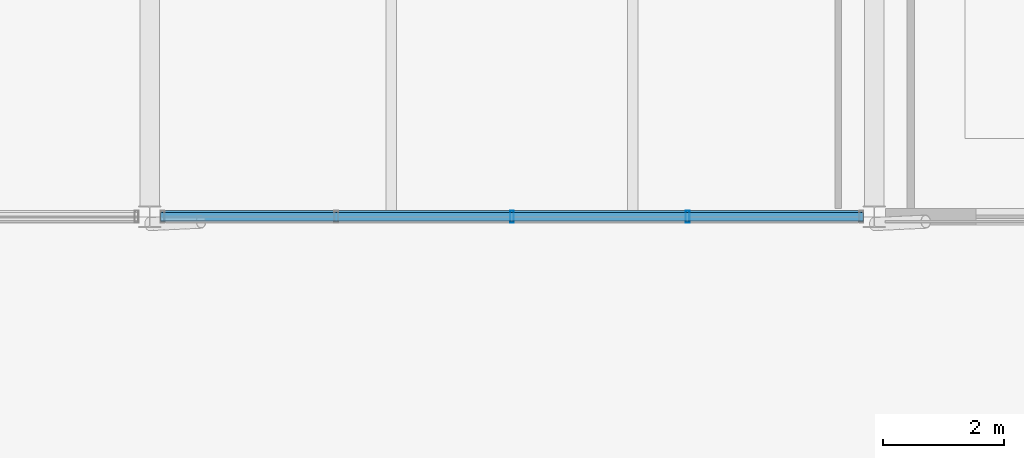
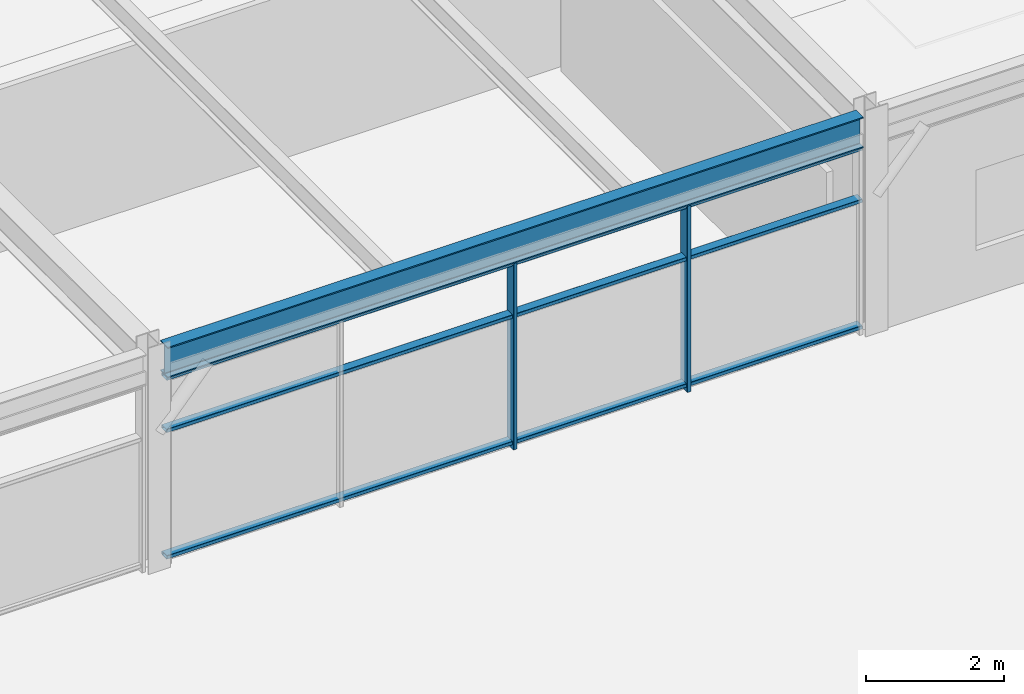
# One storey, part 10 of 30: 5 members, 1 beam, 1 element without a shape of its own.
"""IFC4 building model written with IfcOpenShell, lengths in metres."""

from ifc_helpers import new_model, si_unit, direction, frame, origin, origin_2d, place, context, subcontext, project, spatial, hollow_rectangle, i_section, extrude, material, material_profile, profile_set, type_object, element, aggregate, save


model = new_model("IFC4")

# Units and contexts
model_context = context("Model", 3, precision=1e-05, world=origin(), true_north=direction((0.0, 1.0)))
body_context = subcontext(model_context, "Body", "Model", "MODEL_VIEW")
ifc_project = project(units=[si_unit("LENGTHUNIT", "METRE"), si_unit("AREAUNIT", "SQUARE_METRE"), si_unit("VOLUMEUNIT", "CUBIC_METRE"), si_unit("PLANEANGLEUNIT", "RADIAN"), si_unit("MASSUNIT", "GRAM", prefix="KILO")], contexts=[model_context])

# Site, building, storey
site_placement = place(None, origin())
site = spatial("IfcSite", under=ifc_project, at=site_placement, CompositionType="ELEMENT")
building_placement = place(site_placement, origin())
building = spatial("IfcBuilding", under=site, at=building_placement, Name="Girod Span Mobility Hub", CompositionType="ELEMENT")
storey_placement = place(building_placement, frame((0.0, 0.0, 49.60009765625)))
storey = spatial("IfcBuildingStorey", under=building, at=storey_placement, Name="L12", CompositionType="ELEMENT", Elevation=49.60009765625)

# Beam
ifc_material_1 = material(Name="Steel A992 Grade 50", Category="steel")
ifc_material_profile_1 = material_profile(ifc_material_1, i_section(OverallWidth=0.2119140625, OverallDepth=0.5439453125, WebThickness=0.01318359375, FlangeThickness=0.021240234375, FilletRadius=0.014892578125, at=origin_2d()), Name="W21X83")
ifc_profile_set_1 = profile_set([ifc_material_profile_1], Name="Steel A992 Grade 50")
beam_type = type_object("IfcBeamType", Name="BM-STL-W21X83", PredefinedType="SPANDREL", material=ifc_profile_set_1)
beam_placement = place(storey_placement, frame((84.181396484375, 45.0, 3.572998046875), z_axis=(1.0, 0.0, 0.0), x_axis=(0.0, 1.0, 0.0)))
element("IfcBeam", 1, at=beam_placement, inside=storey, type_object=beam_type, Name="Girder 8-9/D L12", PredefinedType="SPANDREL", context=body_context, shape_type="SweptSolid", body=[
    extrude(i_section(OverallWidth=0.2119140625, OverallDepth=0.5439453125, WebThickness=0.01318359375, FlangeThickness=0.021240234375, FilletRadius=0.014892578125, at=origin_2d()), origin(), (0.0, 0.0, 1.0), 11.63720703125),
])

# Curtain wall, members
ifc_material_2 = material(Name="Thermally Broken Anodised Aluminium", Category="aluminium")
curtain_wall_type = type_object("IfcCurtainWallType", Name="CW-1164X330", PredefinedType="USERDEFINED", material=ifc_material_2)
curtain_wall_placement = place(storey_placement, origin())
curtain_wall = element("IfcCurtainWall", 2, at=curtain_wall_placement, inside=storey, type_object=curtain_wall_type, Name="Unitised Curtain Wall CW-L12-S08 L12", ObjectType="UNITISED CURTAIN WALL", PredefinedType="USERDEFINED")
ifc_material_3 = material(Name="Thermally Broken Anodised Aluminium", Category="aluminium")
ifc_material_profile_2 = material_profile(ifc_material_3, hollow_rectangle(XDim=0.199951171875, YDim=0.06494140625, WallThickness=0.00390625, InnerFilletRadius=0.00390625, OuterFilletRadius=0.008056640625, at=origin_2d()), Name="CW-ML-65X200")
ifc_profile_set_2 = profile_set([ifc_material_profile_2], Name="Thermally Broken Anodised Aluminium")
member_type_1 = type_object("IfcMemberType", Name="CWM-ML-1", PredefinedType="MULLION", material=ifc_profile_set_2)
member_1_placement = place(storey_placement, frame((90.0, 45.0, 0.0), z_axis=(0.0, 0.0, 1.0), x_axis=(0.0, 1.0, 0.0)))
member_1 = element("IfcMember", 3, at=member_1_placement, type_object=member_type_1, Name="Curtain Wall Mullion CW-L12-S08-M2", PredefinedType="MULLION", context=body_context, shape_type="SweptSolid", body=[
    extrude(hollow_rectangle(XDim=0.199951171875, YDim=0.06494140625, WallThickness=0.00390625, InnerFilletRadius=0.00390625, OuterFilletRadius=0.008056640625, at=origin_2d()), origin(), (0.0, 0.0, 1.0), 3.30078125),
])
member_2_placement = place(storey_placement, frame((92.90869140625, 45.0, 0.0), z_axis=(0.0, 0.0, 1.0), x_axis=(0.0, 1.0, 0.0)))
member_2 = element("IfcMember", 4, at=member_2_placement, type_object=member_type_1, Name="Curtain Wall Mullion CW-L12-S08-M3", PredefinedType="MULLION", context=body_context, shape_type="SweptSolid", body=[
    extrude(hollow_rectangle(XDim=0.199951171875, YDim=0.06494140625, WallThickness=0.00390625, InnerFilletRadius=0.00390625, OuterFilletRadius=0.008056640625, at=origin_2d()), origin(), (0.0, 0.0, 1.0), 3.30078125),
])
ifc_material_4 = material(Name="Thermally Broken Anodised Aluminium", Category="aluminium")
ifc_material_profile_3 = material_profile(ifc_material_4, hollow_rectangle(XDim=0.14990234375, YDim=0.06494140625, WallThickness=0.00390625, InnerFilletRadius=0.00390625, OuterFilletRadius=0.008056640625, at=origin_2d()), Name="CW-TR-65X150")
ifc_profile_set_3 = profile_set([ifc_material_profile_3], Name="Thermally Broken Anodised Aluminium")
member_type_2 = type_object("IfcMemberType", Name="CWM-TR-1", PredefinedType="USERDEFINED", material=ifc_profile_set_3)
member_3_placement = place(storey_placement, frame((84.1826171875, 45.0, 0.107421875), z_axis=(1.0, 0.0, 0.0), x_axis=(0.0, 1.0, 0.0)))
member_3 = element("IfcMember", 5, at=member_3_placement, type_object=member_type_2, Name="Curtain Wall Transom CW-L12-S08-T1", ObjectType="TRANSOM", PredefinedType="USERDEFINED", context=body_context, shape_type="SweptSolid", body=[
    extrude(hollow_rectangle(XDim=0.14990234375, YDim=0.06494140625, WallThickness=0.00390625, InnerFilletRadius=0.00390625, OuterFilletRadius=0.008056640625, at=origin_2d()), origin(), (0.0, 0.0, 1.0), 11.634765625),
])
member_4_placement = place(storey_placement, frame((84.1826171875, 45.0, 2.343994140625), z_axis=(1.0, 0.0, 0.0), x_axis=(0.0, 1.0, 0.0)))
member_4 = element("IfcMember", 6, at=member_4_placement, type_object=member_type_2, Name="Curtain Wall Transom CW-L12-S08-T2", ObjectType="TRANSOM", PredefinedType="USERDEFINED", context=body_context, shape_type="SweptSolid", body=[
    extrude(hollow_rectangle(XDim=0.14990234375, YDim=0.06494140625, WallThickness=0.00390625, InnerFilletRadius=0.00390625, OuterFilletRadius=0.008056640625, at=origin_2d()), origin(), (0.0, 0.0, 1.0), 11.634765625),
])
member_5_placement = place(storey_placement, frame((84.1826171875, 45.0, 3.268310546875), z_axis=(1.0, 0.0, 0.0), x_axis=(0.0, 1.0, 0.0)))
member_5 = element("IfcMember", 7, at=member_5_placement, type_object=member_type_2, Name="Curtain Wall Transom CW-L12-S08-T3", ObjectType="TRANSOM", PredefinedType="USERDEFINED", context=body_context, shape_type="SweptSolid", body=[
    extrude(hollow_rectangle(XDim=0.14990234375, YDim=0.06494140625, WallThickness=0.00390625, InnerFilletRadius=0.00390625, OuterFilletRadius=0.008056640625, at=origin_2d()), origin(), (0.0, 0.0, 1.0), 11.634765625),
])
aggregate(curtain_wall, [member_1, member_2, member_3, member_4, member_5])

save(model, "model.ifc")
